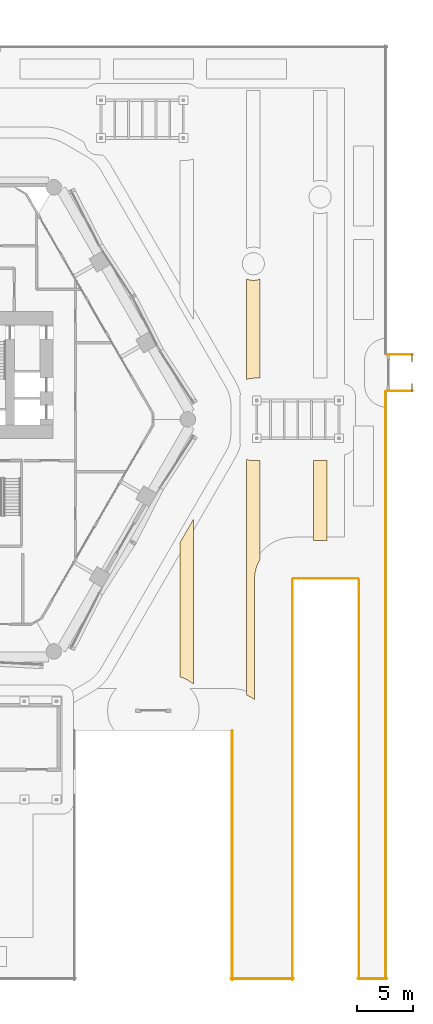
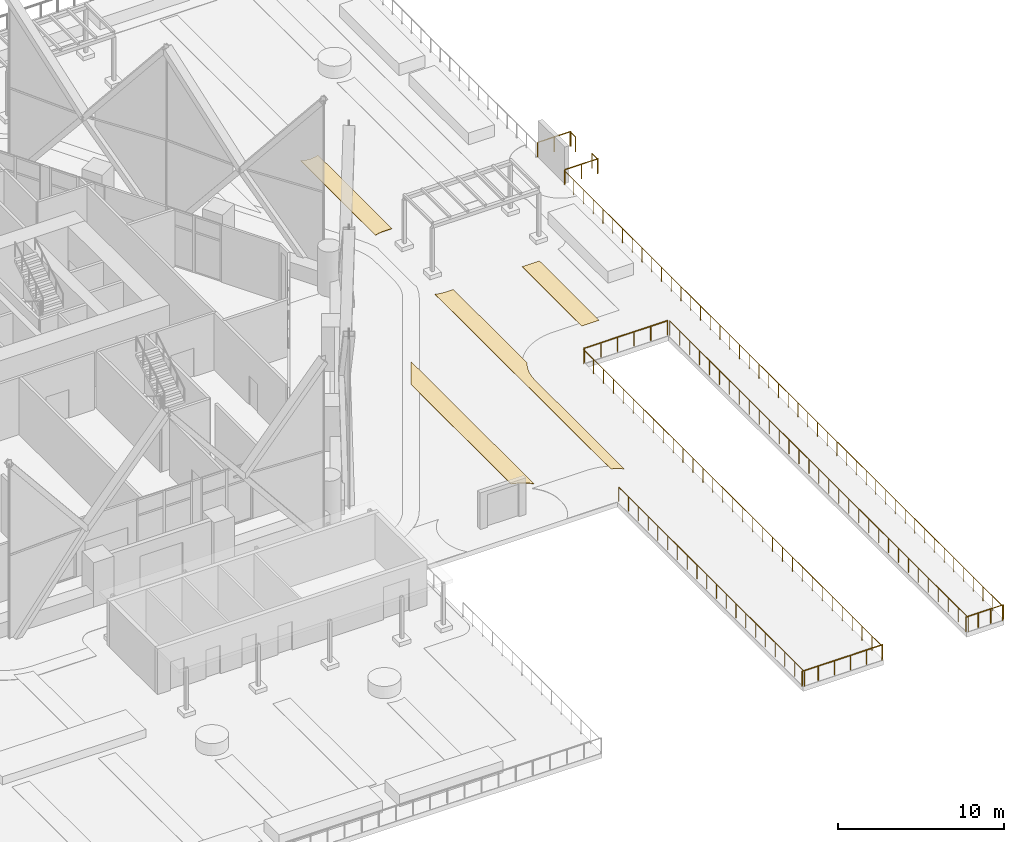
# One storey, part 69 of 71: 11 railings, 4 coverings.
"""IFC4 building model written with IfcOpenShell, lengths in metres."""

from ifc_helpers import new_model, si_unit, direction, frame, origin, origin_2d, place, context, subcontext, project, spatial, polyline, circle, outline, extrude, material, layer, layer_set, type_object, element, save


model = new_model("IFC4")

# Units and contexts
model_context = context("Model", 3, precision=1e-05, world=origin(), true_north=direction((0.0, 1.0)))
body_context = subcontext(model_context, "Body", "Model", "MODEL_VIEW")
ifc_project = project(units=[si_unit("LENGTHUNIT", "METRE"), si_unit("AREAUNIT", "SQUARE_METRE"), si_unit("VOLUMEUNIT", "CUBIC_METRE"), si_unit("PLANEANGLEUNIT", "RADIAN"), si_unit("MASSUNIT", "GRAM", prefix="KILO")], contexts=[model_context])

# Site, building, storey
site_placement = place(None, origin())
site = spatial("IfcSite", under=ifc_project, at=site_placement, CompositionType="ELEMENT")
building_placement = place(site_placement, origin())
building = spatial("IfcBuilding", under=site, at=building_placement, Name="Ostrander Bayou Hotel Tower", CompositionType="ELEMENT")
storey_placement = place(building_placement, frame((0.0, 0.0, 10.0)))
storey = spatial("IfcBuildingStorey", under=building, at=storey_placement, Name="L02", CompositionType="ELEMENT", Elevation=10.0)

# Coverings
ifc_material_1 = material(Name="Granite paving on bedding", Category="masonry")
ifc_layer = layer(ifc_material_1, 0.030029296875)
ifc_layer_set = layer_set([ifc_layer], Name="CV6 paving band 30 mm")
covering_type = type_object("IfcCoveringType", Name="CV6 paving band 30 mm", PredefinedType="FLOORING", material=ifc_layer_set)
covering_1_placement = place(storey_placement, origin())
element("IfcCovering", 1, at=covering_1_placement, inside=storey, type_object=covering_type, Name="PAVING STRIPE 19", PredefinedType="FLOORING", context=body_context, shape_type="SweptSolid", body=[
    extrude(outline(polyline([(23.39990234375, -11.070068359375), (24.60009765625, -8.99169921875), (24.60009765625, -23.81787109375), (24.521728515625, -23.7470703125), (24.48388671875, -23.7158203125), (24.286865234375, -23.569580078125), (24.24609375, -23.54248046875), (24.035400390625, -23.416259765625), (23.9921875, -23.393310546875), (23.7705078125, -23.288330078125), (23.72509765625, -23.26953125), (23.494140625, -23.18701171875), (23.447265625, -23.172607421875), (23.39990234375, -23.160888671875), (23.39990234375, -11.070068359375)])), origin(), (0.0, 0.0, 1.0), 0.030029296875),
])
covering_2_placement = place(storey_placement, origin())
element("IfcCovering", 2, at=covering_2_placement, inside=storey, type_object=covering_type, Name="PAVING STRIPE 22", PredefinedType="FLOORING", context=body_context, shape_type="SweptSolid", body=[
    extrude(outline(polyline([(30.60009765625, 3.699951171875), (30.0, 3.699951171875), (29.9755859375, 3.699462890625), (29.85791015625, 3.693603515625), (29.80908203125, 3.688720703125), (29.6923828125, 3.67138671875), (29.644287109375, 3.662109375), (29.5302734375, 3.63330078125), (29.483154296875, 3.619140625), (29.39990234375, 3.58935546875), (29.39990234375, 12.63427734375), (29.5498046875, 12.572021484375), (29.5908203125, 12.55712890625), (29.633056640625, 12.5458984375), (29.67578125, 12.538330078125), (29.934814453125, 12.50439453125), (29.978271484375, 12.50048828125), (30.021728515625, 12.50048828125), (30.065185546875, 12.50439453125), (30.32421875, 12.538330078125), (30.366943359375, 12.5458984375), (30.4091796875, 12.55712890625), (30.4501953125, 12.572021484375), (30.60009765625, 12.63427734375), (30.60009765625, 3.699951171875)])), origin(), (0.0, 0.0, 1.0), 0.030029296875),
])
covering_3_placement = place(storey_placement, origin())
element("IfcCovering", 3, at=covering_3_placement, inside=storey, type_object=covering_type, Name="PAVING STRIPE 23", PredefinedType="FLOORING", context=body_context, shape_type="SweptSolid", body=[
    extrude(outline(polyline([(30.60009765625, -12.60546875), (30.51318359375, -12.75), (30.366455078125, -13.060546875), (30.250732421875, -13.384033203125), (30.167236328125, -13.71728515625), (30.116943359375, -14.056884765625), (30.10009765625, -14.39990234375), (30.10009765625, -25.205078125), (29.944580078125, -25.08984375), (29.64990234375, -24.913330078125), (29.39990234375, -24.795166015625), (29.39990234375, -3.58935546875), (29.483154296875, -3.619140625), (29.5302734375, -3.63330078125), (29.644287109375, -3.662109375), (29.6923828125, -3.67138671875), (29.80908203125, -3.688720703125), (29.85791015625, -3.693603515625), (29.9755859375, -3.699462890625), (30.0, -3.699951171875), (30.60009765625, -3.699951171875), (30.60009765625, -12.60546875)])), origin(), (0.0, 0.0, 1.0), 0.030029296875),
])
covering_4_placement = place(storey_placement, origin())
element("IfcCovering", 4, at=covering_4_placement, inside=storey, type_object=covering_type, Name="PAVING STRIPE 26", PredefinedType="FLOORING", context=body_context, shape_type="SweptSolid", body=[
    extrude(outline(polyline([(36.60009765625, -10.89990234375), (35.39990234375, -10.89990234375), (35.39990234375, -3.699951171875), (36.60009765625, -3.699951171875), (36.60009765625, -10.89990234375)])), origin(), (0.0, 0.0, 1.0), 0.030029296875),
])

# Railings
ifc_material_2 = material(Name="Stainless steel and clear glass", Category="steel")
railing_type = type_object("IfcRailingType", Name="GR1 guard 1100 mm", PredefinedType="GUARDRAIL", material=ifc_material_2)
railing_1_placement = place(storey_placement, frame((28.10009765625, -28.0, 0.0)))
element("IfcRailing", 5, at=railing_1_placement, inside=storey, type_object=railing_type, Name="GR1 deck guard 6", PredefinedType="GUARDRAIL", context=body_context, shape_type="SweptSolid", body=[
    extrude(circle(Radius=0.02490234375, at=origin_2d()), frame((0.0, 0.0, 1.0751953125), z_axis=(0.0, -1.0, 0.0), x_axis=(1.0, 0.0, 0.0)), (0.0, 0.0, 1.0), 22.39990234375),
    extrude(circle(Radius=0.02001953125, at=origin_2d()), origin(), (0.0, 0.0, 1.0), 1.050048828125),
    extrude(circle(Radius=0.02001953125, at=origin_2d()), frame((0.0, -1.178955078125, 0.0)), (0.0, 0.0, 1.0), 1.050048828125),
    extrude(circle(Radius=0.02001953125, at=origin_2d()), frame((0.0, -2.35791015625, 0.0)), (0.0, 0.0, 1.0), 1.050048828125),
    extrude(circle(Radius=0.02001953125, at=origin_2d()), frame((0.0, -3.536865234375, 0.0)), (0.0, 0.0, 1.0), 1.050048828125),
    extrude(circle(Radius=0.02001953125, at=origin_2d()), frame((0.0, -4.7158203125, 0.0)), (0.0, 0.0, 1.0), 1.050048828125),
    extrude(circle(Radius=0.02001953125, at=origin_2d()), frame((0.0, -5.894775390625, 0.0)), (0.0, 0.0, 1.0), 1.050048828125),
    extrude(circle(Radius=0.02001953125, at=origin_2d()), frame((0.0, -7.07373046875, 0.0)), (0.0, 0.0, 1.0), 1.050048828125),
    extrude(circle(Radius=0.02001953125, at=origin_2d()), frame((0.0, -8.252685546875, 0.0)), (0.0, 0.0, 1.0), 1.050048828125),
    extrude(circle(Radius=0.02001953125, at=origin_2d()), frame((0.0, -9.431640625, 0.0)), (0.0, 0.0, 1.0), 1.050048828125),
    extrude(circle(Radius=0.02001953125, at=origin_2d()), frame((0.0, -10.610595703125, 0.0)), (0.0, 0.0, 1.0), 1.050048828125),
    extrude(circle(Radius=0.02001953125, at=origin_2d()), frame((0.0, -11.789306640625, 0.0)), (0.0, 0.0, 1.0), 1.050048828125),
    extrude(circle(Radius=0.02001953125, at=origin_2d()), frame((0.0, -12.96826171875, 0.0)), (0.0, 0.0, 1.0), 1.050048828125),
    extrude(circle(Radius=0.02001953125, at=origin_2d()), frame((0.0, -14.147216796875, 0.0)), (0.0, 0.0, 1.0), 1.050048828125),
    extrude(circle(Radius=0.02001953125, at=origin_2d()), frame((0.0, -15.326171875, 0.0)), (0.0, 0.0, 1.0), 1.050048828125),
    extrude(circle(Radius=0.02001953125, at=origin_2d()), frame((0.0, -16.505126953125, 0.0)), (0.0, 0.0, 1.0), 1.050048828125),
    extrude(circle(Radius=0.02001953125, at=origin_2d()), frame((0.0, -17.68408203125, 0.0)), (0.0, 0.0, 1.0), 1.050048828125),
    extrude(circle(Radius=0.02001953125, at=origin_2d()), frame((0.0, -18.863037109375, 0.0)), (0.0, 0.0, 1.0), 1.050048828125),
    extrude(circle(Radius=0.02001953125, at=origin_2d()), frame((0.0, -20.0419921875, 0.0)), (0.0, 0.0, 1.0), 1.050048828125),
    extrude(circle(Radius=0.02001953125, at=origin_2d()), frame((0.0, -21.220947265625, 0.0)), (0.0, 0.0, 1.0), 1.050048828125),
    extrude(circle(Radius=0.02001953125, at=origin_2d()), frame((0.0, -22.39990234375, 0.0)), (0.0, 0.0, 1.0), 1.050048828125),
])
railing_2_placement = place(storey_placement, frame((28.0, -50.300048828125, 0.0)))
element("IfcRailing", 6, at=railing_2_placement, inside=storey, type_object=railing_type, Name="GR1 deck guard 7", PredefinedType="GUARDRAIL", context=body_context, shape_type="SweptSolid", body=[
    extrude(circle(Radius=0.02490234375, at=origin_2d()), frame((0.0, 0.0, 1.0751953125), z_axis=(1.0, 0.0, 0.0), x_axis=(0.0, 1.0, 0.0)), (0.0, 0.0, 1.0), 5.60009765625),
    extrude(circle(Radius=0.02001953125, at=origin_2d()), origin(), (0.0, 0.0, 1.0), 1.050048828125),
    extrude(circle(Radius=0.02001953125, at=origin_2d()), frame((1.1201171875, 0.0, 0.0)), (0.0, 0.0, 1.0), 1.050048828125),
    extrude(circle(Radius=0.02001953125, at=origin_2d()), frame((2.239990234375, 0.0, 0.0)), (0.0, 0.0, 1.0), 1.050048828125),
    extrude(circle(Radius=0.02001953125, at=origin_2d()), frame((3.360107421875, 0.0, 0.0)), (0.0, 0.0, 1.0), 1.050048828125),
    extrude(circle(Radius=0.02001953125, at=origin_2d()), frame((4.47998046875, 0.0, 0.0)), (0.0, 0.0, 1.0), 1.050048828125),
    extrude(circle(Radius=0.02001953125, at=origin_2d()), frame((5.60009765625, 0.0, 0.0)), (0.0, 0.0, 1.0), 1.050048828125),
])
railing_3_placement = place(storey_placement, frame((33.5, -50.39990234375, 0.0)))
element("IfcRailing", 7, at=railing_3_placement, inside=storey, type_object=railing_type, Name="GR1 deck guard 8", PredefinedType="GUARDRAIL", context=body_context, shape_type="SweptSolid", body=[
    extrude(circle(Radius=0.02490234375, at=origin_2d()), frame((0.0, 0.0, 1.0751953125), z_axis=(0.0, 1.0, 0.0), x_axis=(-1.0, 0.0, 0.0)), (0.0, 0.0, 1.0), 36.0),
    extrude(circle(Radius=0.02001953125, at=origin_2d()), origin(), (0.0, 0.0, 1.0), 1.050048828125),
    extrude(circle(Radius=0.02001953125, at=origin_2d()), frame((0.0, 1.199951171875, 0.0)), (0.0, 0.0, 1.0), 1.050048828125),
    extrude(circle(Radius=0.02001953125, at=origin_2d()), frame((0.0, 2.39990234375, 0.0)), (0.0, 0.0, 1.0), 1.050048828125),
    extrude(circle(Radius=0.02001953125, at=origin_2d()), frame((0.0, 3.60009765625, 0.0)), (0.0, 0.0, 1.0), 1.050048828125),
    extrude(circle(Radius=0.02001953125, at=origin_2d()), frame((0.0, 4.800048828125, 0.0)), (0.0, 0.0, 1.0), 1.050048828125),
    extrude(circle(Radius=0.02001953125, at=origin_2d()), frame((0.0, 6.0, 0.0)), (0.0, 0.0, 1.0), 1.050048828125),
    extrude(circle(Radius=0.02001953125, at=origin_2d()), frame((0.0, 7.199951171875, 0.0)), (0.0, 0.0, 1.0), 1.050048828125),
    extrude(circle(Radius=0.02001953125, at=origin_2d()), frame((0.0, 8.39990234375, 0.0)), (0.0, 0.0, 1.0), 1.050048828125),
    extrude(circle(Radius=0.02001953125, at=origin_2d()), frame((0.0, 9.60009765625, 0.0)), (0.0, 0.0, 1.0), 1.050048828125),
    extrude(circle(Radius=0.02001953125, at=origin_2d()), frame((0.0, 10.800048828125, 0.0)), (0.0, 0.0, 1.0), 1.050048828125),
    extrude(circle(Radius=0.02001953125, at=origin_2d()), frame((0.0, 12.0, 0.0)), (0.0, 0.0, 1.0), 1.050048828125),
    extrude(circle(Radius=0.02001953125, at=origin_2d()), frame((0.0, 13.199951171875, 0.0)), (0.0, 0.0, 1.0), 1.050048828125),
    extrude(circle(Radius=0.02001953125, at=origin_2d()), frame((0.0, 14.39990234375, 0.0)), (0.0, 0.0, 1.0), 1.050048828125),
    extrude(circle(Radius=0.02001953125, at=origin_2d()), frame((0.0, 15.60009765625, 0.0)), (0.0, 0.0, 1.0), 1.050048828125),
    extrude(circle(Radius=0.02001953125, at=origin_2d()), frame((0.0, 16.800048828125, 0.0)), (0.0, 0.0, 1.0), 1.050048828125),
    extrude(circle(Radius=0.02001953125, at=origin_2d()), frame((0.0, 18.0, 0.0)), (0.0, 0.0, 1.0), 1.050048828125),
    extrude(circle(Radius=0.02001953125, at=origin_2d()), frame((0.0, 19.199951171875, 0.0)), (0.0, 0.0, 1.0), 1.050048828125),
    extrude(circle(Radius=0.02001953125, at=origin_2d()), frame((0.0, 20.39990234375, 0.0)), (0.0, 0.0, 1.0), 1.050048828125),
    extrude(circle(Radius=0.02001953125, at=origin_2d()), frame((0.0, 21.60009765625, 0.0)), (0.0, 0.0, 1.0), 1.050048828125),
    extrude(circle(Radius=0.02001953125, at=origin_2d()), frame((0.0, 22.800048828125, 0.0)), (0.0, 0.0, 1.0), 1.050048828125),
    extrude(circle(Radius=0.02001953125, at=origin_2d()), frame((0.0, 24.0, 0.0)), (0.0, 0.0, 1.0), 1.050048828125),
    extrude(circle(Radius=0.02001953125, at=origin_2d()), frame((0.0, 25.199951171875, 0.0)), (0.0, 0.0, 1.0), 1.050048828125),
    extrude(circle(Radius=0.02001953125, at=origin_2d()), frame((0.0, 26.39990234375, 0.0)), (0.0, 0.0, 1.0), 1.050048828125),
    extrude(circle(Radius=0.02001953125, at=origin_2d()), frame((0.0, 27.60009765625, 0.0)), (0.0, 0.0, 1.0), 1.050048828125),
    extrude(circle(Radius=0.02001953125, at=origin_2d()), frame((0.0, 28.800048828125, 0.0)), (0.0, 0.0, 1.0), 1.050048828125),
    extrude(circle(Radius=0.02001953125, at=origin_2d()), frame((0.0, 30.0, 0.0)), (0.0, 0.0, 1.0), 1.050048828125),
    extrude(circle(Radius=0.02001953125, at=origin_2d()), frame((0.0, 31.199951171875, 0.0)), (0.0, 0.0, 1.0), 1.050048828125),
    extrude(circle(Radius=0.02001953125, at=origin_2d()), frame((0.0, 32.39990234375, 0.0)), (0.0, 0.0, 1.0), 1.050048828125),
    extrude(circle(Radius=0.02001953125, at=origin_2d()), frame((0.0, 33.60009765625, 0.0)), (0.0, 0.0, 1.0), 1.050048828125),
    extrude(circle(Radius=0.02001953125, at=origin_2d()), frame((0.0, 34.800048828125, 0.0)), (0.0, 0.0, 1.0), 1.050048828125),
    extrude(circle(Radius=0.02001953125, at=origin_2d()), frame((0.0, 36.0, 0.0)), (0.0, 0.0, 1.0), 1.050048828125),
])
railing_4_placement = place(storey_placement, frame((33.60009765625, -14.300048828125, 0.0)))
element("IfcRailing", 8, at=railing_4_placement, inside=storey, type_object=railing_type, Name="GR1 deck guard 9", PredefinedType="GUARDRAIL", context=body_context, shape_type="SweptSolid", body=[
    extrude(circle(Radius=0.02490234375, at=origin_2d()), frame((0.0, 0.0, 1.0751953125), z_axis=(1.0, 0.0, 0.0), x_axis=(0.0, 1.0, 0.0)), (0.0, 0.0, 1.0), 5.7998046875),
    extrude(circle(Radius=0.02001953125, at=origin_2d()), origin(), (0.0, 0.0, 1.0), 1.050048828125),
    extrude(circle(Radius=0.02001953125, at=origin_2d()), frame((1.159912109375, 0.0, 0.0)), (0.0, 0.0, 1.0), 1.050048828125),
    extrude(circle(Radius=0.02001953125, at=origin_2d()), frame((2.31982421875, 0.0, 0.0)), (0.0, 0.0, 1.0), 1.050048828125),
    extrude(circle(Radius=0.02001953125, at=origin_2d()), frame((3.47998046875, 0.0, 0.0)), (0.0, 0.0, 1.0), 1.050048828125),
    extrude(circle(Radius=0.02001953125, at=origin_2d()), frame((4.639892578125, 0.0, 0.0)), (0.0, 0.0, 1.0), 1.050048828125),
    extrude(circle(Radius=0.02001953125, at=origin_2d()), frame((5.7998046875, 0.0, 0.0)), (0.0, 0.0, 1.0), 1.050048828125),
])
railing_5_placement = place(storey_placement, frame((39.5, -14.39990234375, 0.0)))
element("IfcRailing", 9, at=railing_5_placement, inside=storey, type_object=railing_type, Name="GR1 deck guard 10", PredefinedType="GUARDRAIL", context=body_context, shape_type="SweptSolid", body=[
    extrude(circle(Radius=0.02490234375, at=origin_2d()), frame((0.0, 0.0, 1.0751953125), z_axis=(0.0, -1.0, 0.0), x_axis=(1.0, 0.0, 0.0)), (0.0, 0.0, 1.0), 36.0),
    extrude(circle(Radius=0.02001953125, at=origin_2d()), origin(), (0.0, 0.0, 1.0), 1.050048828125),
    extrude(circle(Radius=0.02001953125, at=origin_2d()), frame((0.0, -1.199951171875, 0.0)), (0.0, 0.0, 1.0), 1.050048828125),
    extrude(circle(Radius=0.02001953125, at=origin_2d()), frame((0.0, -2.39990234375, 0.0)), (0.0, 0.0, 1.0), 1.050048828125),
    extrude(circle(Radius=0.02001953125, at=origin_2d()), frame((0.0, -3.60009765625, 0.0)), (0.0, 0.0, 1.0), 1.050048828125),
    extrude(circle(Radius=0.02001953125, at=origin_2d()), frame((0.0, -4.800048828125, 0.0)), (0.0, 0.0, 1.0), 1.050048828125),
    extrude(circle(Radius=0.02001953125, at=origin_2d()), frame((0.0, -6.0, 0.0)), (0.0, 0.0, 1.0), 1.050048828125),
    extrude(circle(Radius=0.02001953125, at=origin_2d()), frame((0.0, -7.199951171875, 0.0)), (0.0, 0.0, 1.0), 1.050048828125),
    extrude(circle(Radius=0.02001953125, at=origin_2d()), frame((0.0, -8.39990234375, 0.0)), (0.0, 0.0, 1.0), 1.050048828125),
    extrude(circle(Radius=0.02001953125, at=origin_2d()), frame((0.0, -9.60009765625, 0.0)), (0.0, 0.0, 1.0), 1.050048828125),
    extrude(circle(Radius=0.02001953125, at=origin_2d()), frame((0.0, -10.800048828125, 0.0)), (0.0, 0.0, 1.0), 1.050048828125),
    extrude(circle(Radius=0.02001953125, at=origin_2d()), frame((0.0, -12.0, 0.0)), (0.0, 0.0, 1.0), 1.050048828125),
    extrude(circle(Radius=0.02001953125, at=origin_2d()), frame((0.0, -13.199951171875, 0.0)), (0.0, 0.0, 1.0), 1.050048828125),
    extrude(circle(Radius=0.02001953125, at=origin_2d()), frame((0.0, -14.39990234375, 0.0)), (0.0, 0.0, 1.0), 1.050048828125),
    extrude(circle(Radius=0.02001953125, at=origin_2d()), frame((0.0, -15.60009765625, 0.0)), (0.0, 0.0, 1.0), 1.050048828125),
    extrude(circle(Radius=0.02001953125, at=origin_2d()), frame((0.0, -16.800048828125, 0.0)), (0.0, 0.0, 1.0), 1.050048828125),
    extrude(circle(Radius=0.02001953125, at=origin_2d()), frame((0.0, -18.0, 0.0)), (0.0, 0.0, 1.0), 1.050048828125),
    extrude(circle(Radius=0.02001953125, at=origin_2d()), frame((0.0, -19.199951171875, 0.0)), (0.0, 0.0, 1.0), 1.050048828125),
    extrude(circle(Radius=0.02001953125, at=origin_2d()), frame((0.0, -20.39990234375, 0.0)), (0.0, 0.0, 1.0), 1.050048828125),
    extrude(circle(Radius=0.02001953125, at=origin_2d()), frame((0.0, -21.60009765625, 0.0)), (0.0, 0.0, 1.0), 1.050048828125),
    extrude(circle(Radius=0.02001953125, at=origin_2d()), frame((0.0, -22.800048828125, 0.0)), (0.0, 0.0, 1.0), 1.050048828125),
    extrude(circle(Radius=0.02001953125, at=origin_2d()), frame((0.0, -24.0, 0.0)), (0.0, 0.0, 1.0), 1.050048828125),
    extrude(circle(Radius=0.02001953125, at=origin_2d()), frame((0.0, -25.199951171875, 0.0)), (0.0, 0.0, 1.0), 1.050048828125),
    extrude(circle(Radius=0.02001953125, at=origin_2d()), frame((0.0, -26.39990234375, 0.0)), (0.0, 0.0, 1.0), 1.050048828125),
    extrude(circle(Radius=0.02001953125, at=origin_2d()), frame((0.0, -27.60009765625, 0.0)), (0.0, 0.0, 1.0), 1.050048828125),
    extrude(circle(Radius=0.02001953125, at=origin_2d()), frame((0.0, -28.800048828125, 0.0)), (0.0, 0.0, 1.0), 1.050048828125),
    extrude(circle(Radius=0.02001953125, at=origin_2d()), frame((0.0, -30.0, 0.0)), (0.0, 0.0, 1.0), 1.050048828125),
    extrude(circle(Radius=0.02001953125, at=origin_2d()), frame((0.0, -31.199951171875, 0.0)), (0.0, 0.0, 1.0), 1.050048828125),
    extrude(circle(Radius=0.02001953125, at=origin_2d()), frame((0.0, -32.39990234375, 0.0)), (0.0, 0.0, 1.0), 1.050048828125),
    extrude(circle(Radius=0.02001953125, at=origin_2d()), frame((0.0, -33.60009765625, 0.0)), (0.0, 0.0, 1.0), 1.050048828125),
    extrude(circle(Radius=0.02001953125, at=origin_2d()), frame((0.0, -34.800048828125, 0.0)), (0.0, 0.0, 1.0), 1.050048828125),
    extrude(circle(Radius=0.02001953125, at=origin_2d()), frame((0.0, -36.0, 0.0)), (0.0, 0.0, 1.0), 1.050048828125),
])
railing_6_placement = place(storey_placement, frame((39.39990234375, -50.300048828125, 0.0)))
element("IfcRailing", 10, at=railing_6_placement, inside=storey, type_object=railing_type, Name="GR1 deck guard 11", PredefinedType="GUARDRAIL", context=body_context, shape_type="SweptSolid", body=[
    extrude(circle(Radius=0.02490234375, at=origin_2d()), frame((0.0, 0.0, 1.0751953125), z_axis=(1.0, 0.0, 0.0), x_axis=(0.0, 1.0, 0.0)), (0.0, 0.0, 1.0), 2.60009765625),
    extrude(circle(Radius=0.02001953125, at=origin_2d()), origin(), (0.0, 0.0, 1.0), 1.050048828125),
    extrude(circle(Radius=0.02001953125, at=origin_2d()), frame((0.86669921875, 0.0, 0.0)), (0.0, 0.0, 1.0), 1.050048828125),
    extrude(circle(Radius=0.02001953125, at=origin_2d()), frame((1.7333984375, 0.0, 0.0)), (0.0, 0.0, 1.0), 1.050048828125),
    extrude(circle(Radius=0.02001953125, at=origin_2d()), frame((2.60009765625, 0.0, 0.0)), (0.0, 0.0, 1.0), 1.050048828125),
])
railing_7_placement = place(storey_placement, frame((41.89990234375, -50.39990234375, 0.0)))
element("IfcRailing", 11, at=railing_7_placement, inside=storey, type_object=railing_type, Name="GR1 deck guard 12", PredefinedType="GUARDRAIL", context=body_context, shape_type="SweptSolid", body=[
    extrude(circle(Radius=0.02490234375, at=origin_2d()), frame((0.0, 0.0, 1.0751953125), z_axis=(0.0, 1.0, 0.0), x_axis=(-1.0, 0.0, 0.0)), (0.0, 0.0, 1.0), 52.89990234375),
    extrude(circle(Radius=0.02001953125, at=origin_2d()), origin(), (0.0, 0.0, 1.0), 1.050048828125),
    extrude(circle(Radius=0.02001953125, at=origin_2d()), frame((0.0, 1.175537109375, 0.0)), (0.0, 0.0, 1.0), 1.050048828125),
    extrude(circle(Radius=0.02001953125, at=origin_2d()), frame((0.0, 2.35107421875, 0.0)), (0.0, 0.0, 1.0), 1.050048828125),
    extrude(circle(Radius=0.02001953125, at=origin_2d()), frame((0.0, 3.526611328125, 0.0)), (0.0, 0.0, 1.0), 1.050048828125),
    extrude(circle(Radius=0.02001953125, at=origin_2d()), frame((0.0, 4.7021484375, 0.0)), (0.0, 0.0, 1.0), 1.050048828125),
    extrude(circle(Radius=0.02001953125, at=origin_2d()), frame((0.0, 5.877685546875, 0.0)), (0.0, 0.0, 1.0), 1.050048828125),
    extrude(circle(Radius=0.02001953125, at=origin_2d()), frame((0.0, 7.05322265625, 0.0)), (0.0, 0.0, 1.0), 1.050048828125),
    extrude(circle(Radius=0.02001953125, at=origin_2d()), frame((0.0, 8.228759765625, 0.0)), (0.0, 0.0, 1.0), 1.050048828125),
    extrude(circle(Radius=0.02001953125, at=origin_2d()), frame((0.0, 9.404541015625, 0.0)), (0.0, 0.0, 1.0), 1.050048828125),
    extrude(circle(Radius=0.02001953125, at=origin_2d()), frame((0.0, 10.580078125, 0.0)), (0.0, 0.0, 1.0), 1.050048828125),
    extrude(circle(Radius=0.02001953125, at=origin_2d()), frame((0.0, 11.755615234375, 0.0)), (0.0, 0.0, 1.0), 1.050048828125),
    extrude(circle(Radius=0.02001953125, at=origin_2d()), frame((0.0, 12.93115234375, 0.0)), (0.0, 0.0, 1.0), 1.050048828125),
    extrude(circle(Radius=0.02001953125, at=origin_2d()), frame((0.0, 14.106689453125, 0.0)), (0.0, 0.0, 1.0), 1.050048828125),
    extrude(circle(Radius=0.02001953125, at=origin_2d()), frame((0.0, 15.2822265625, 0.0)), (0.0, 0.0, 1.0), 1.050048828125),
    extrude(circle(Radius=0.02001953125, at=origin_2d()), frame((0.0, 16.457763671875, 0.0)), (0.0, 0.0, 1.0), 1.050048828125),
    extrude(circle(Radius=0.02001953125, at=origin_2d()), frame((0.0, 17.63330078125, 0.0)), (0.0, 0.0, 1.0), 1.050048828125),
    extrude(circle(Radius=0.02001953125, at=origin_2d()), frame((0.0, 18.808837890625, 0.0)), (0.0, 0.0, 1.0), 1.050048828125),
    extrude(circle(Radius=0.02001953125, at=origin_2d()), frame((0.0, 19.984375, 0.0)), (0.0, 0.0, 1.0), 1.050048828125),
    extrude(circle(Radius=0.02001953125, at=origin_2d()), frame((0.0, 21.159912109375, 0.0)), (0.0, 0.0, 1.0), 1.050048828125),
    extrude(circle(Radius=0.02001953125, at=origin_2d()), frame((0.0, 22.33544921875, 0.0)), (0.0, 0.0, 1.0), 1.050048828125),
    extrude(circle(Radius=0.02001953125, at=origin_2d()), frame((0.0, 23.510986328125, 0.0)), (0.0, 0.0, 1.0), 1.050048828125),
    extrude(circle(Radius=0.02001953125, at=origin_2d()), frame((0.0, 24.6865234375, 0.0)), (0.0, 0.0, 1.0), 1.050048828125),
    extrude(circle(Radius=0.02001953125, at=origin_2d()), frame((0.0, 25.862060546875, 0.0)), (0.0, 0.0, 1.0), 1.050048828125),
    extrude(circle(Radius=0.02001953125, at=origin_2d()), frame((0.0, 27.037841796875, 0.0)), (0.0, 0.0, 1.0), 1.050048828125),
    extrude(circle(Radius=0.02001953125, at=origin_2d()), frame((0.0, 28.21337890625, 0.0)), (0.0, 0.0, 1.0), 1.050048828125),
    extrude(circle(Radius=0.02001953125, at=origin_2d()), frame((0.0, 29.388916015625, 0.0)), (0.0, 0.0, 1.0), 1.050048828125),
    extrude(circle(Radius=0.02001953125, at=origin_2d()), frame((0.0, 30.564453125, 0.0)), (0.0, 0.0, 1.0), 1.050048828125),
    extrude(circle(Radius=0.02001953125, at=origin_2d()), frame((0.0, 31.739990234375, 0.0)), (0.0, 0.0, 1.0), 1.050048828125),
    extrude(circle(Radius=0.02001953125, at=origin_2d()), frame((0.0, 32.91552734375, 0.0)), (0.0, 0.0, 1.0), 1.050048828125),
    extrude(circle(Radius=0.02001953125, at=origin_2d()), frame((0.0, 34.091064453125, 0.0)), (0.0, 0.0, 1.0), 1.050048828125),
    extrude(circle(Radius=0.02001953125, at=origin_2d()), frame((0.0, 35.2666015625, 0.0)), (0.0, 0.0, 1.0), 1.050048828125),
    extrude(circle(Radius=0.02001953125, at=origin_2d()), frame((0.0, 36.442138671875, 0.0)), (0.0, 0.0, 1.0), 1.050048828125),
    extrude(circle(Radius=0.02001953125, at=origin_2d()), frame((0.0, 37.61767578125, 0.0)), (0.0, 0.0, 1.0), 1.050048828125),
    extrude(circle(Radius=0.02001953125, at=origin_2d()), frame((0.0, 38.793212890625, 0.0)), (0.0, 0.0, 1.0), 1.050048828125),
    extrude(circle(Radius=0.02001953125, at=origin_2d()), frame((0.0, 39.96875, 0.0)), (0.0, 0.0, 1.0), 1.050048828125),
    extrude(circle(Radius=0.02001953125, at=origin_2d()), frame((0.0, 41.144287109375, 0.0)), (0.0, 0.0, 1.0), 1.050048828125),
    extrude(circle(Radius=0.02001953125, at=origin_2d()), frame((0.0, 42.31982421875, 0.0)), (0.0, 0.0, 1.0), 1.050048828125),
    extrude(circle(Radius=0.02001953125, at=origin_2d()), frame((0.0, 43.495361328125, 0.0)), (0.0, 0.0, 1.0), 1.050048828125),
    extrude(circle(Radius=0.02001953125, at=origin_2d()), frame((0.0, 44.671142578125, 0.0)), (0.0, 0.0, 1.0), 1.050048828125),
    extrude(circle(Radius=0.02001953125, at=origin_2d()), frame((0.0, 45.8466796875, 0.0)), (0.0, 0.0, 1.0), 1.050048828125),
    extrude(circle(Radius=0.02001953125, at=origin_2d()), frame((0.0, 47.022216796875, 0.0)), (0.0, 0.0, 1.0), 1.050048828125),
    extrude(circle(Radius=0.02001953125, at=origin_2d()), frame((0.0, 48.19775390625, 0.0)), (0.0, 0.0, 1.0), 1.050048828125),
    extrude(circle(Radius=0.02001953125, at=origin_2d()), frame((0.0, 49.373291015625, 0.0)), (0.0, 0.0, 1.0), 1.050048828125),
    extrude(circle(Radius=0.02001953125, at=origin_2d()), frame((0.0, 50.548828125, 0.0)), (0.0, 0.0, 1.0), 1.050048828125),
    extrude(circle(Radius=0.02001953125, at=origin_2d()), frame((0.0, 51.724365234375, 0.0)), (0.0, 0.0, 1.0), 1.050048828125),
    extrude(circle(Radius=0.02001953125, at=origin_2d()), frame((0.0, 52.89990234375, 0.0)), (0.0, 0.0, 1.0), 1.050048828125),
])
railing_8_placement = place(storey_placement, frame((42.0, 2.550048828125, 0.0)))
element("IfcRailing", 12, at=railing_8_placement, inside=storey, type_object=railing_type, Name="GR1 landing guard EL", PredefinedType="GUARDRAIL", context=body_context, shape_type="SweptSolid", body=[
    extrude(circle(Radius=0.02490234375, at=origin_2d()), frame((0.0, 0.0, 1.0751953125), z_axis=(1.0, 0.0, 0.0), x_axis=(0.0, 1.0, 0.0)), (0.0, 0.0, 1.0), 2.300048828125),
    extrude(circle(Radius=0.02001953125, at=origin_2d()), origin(), (0.0, 0.0, 1.0), 1.050048828125),
    extrude(circle(Radius=0.02001953125, at=origin_2d()), frame((1.14990234375, 0.0, 0.0)), (0.0, 0.0, 1.0), 1.050048828125),
    extrude(circle(Radius=0.02001953125, at=origin_2d()), frame((2.300048828125, 0.0, 0.0)), (0.0, 0.0, 1.0), 1.050048828125),
])
railing_9_placement = place(storey_placement, frame((44.25, 2.550048828125, 0.0)))
element("IfcRailing", 13, at=railing_9_placement, inside=storey, type_object=railing_type, Name="GR1 landing end guard EL", PredefinedType="GUARDRAIL", context=body_context, shape_type="SweptSolid", body=[
    extrude(circle(Radius=0.02490234375, at=origin_2d()), frame((0.0, 0.0, 1.0751953125), z_axis=(0.0, 1.0, 0.0), x_axis=(-1.0, 0.0, 0.0)), (0.0, 0.0, 1.0), 0.64990234375),
    extrude(circle(Radius=0.02001953125, at=origin_2d()), origin(), (0.0, 0.0, 1.0), 1.050048828125),
    extrude(circle(Radius=0.02001953125, at=origin_2d()), frame((0.0, 0.64990234375, 0.0)), (0.0, 0.0, 1.0), 1.050048828125),
])
railing_10_placement = place(storey_placement, frame((42.0, 5.85009765625, 0.0)))
element("IfcRailing", 14, at=railing_10_placement, inside=storey, type_object=railing_type, Name="GR1 landing guard ER", PredefinedType="GUARDRAIL", context=body_context, shape_type="SweptSolid", body=[
    extrude(circle(Radius=0.02490234375, at=origin_2d()), frame((0.0, 0.0, 1.0751953125), z_axis=(1.0, 0.0, 0.0), x_axis=(0.0, 1.0, 0.0)), (0.0, 0.0, 1.0), 2.300048828125),
    extrude(circle(Radius=0.02001953125, at=origin_2d()), origin(), (0.0, 0.0, 1.0), 1.050048828125),
    extrude(circle(Radius=0.02001953125, at=origin_2d()), frame((1.14990234375, 0.0, 0.0)), (0.0, 0.0, 1.0), 1.050048828125),
    extrude(circle(Radius=0.02001953125, at=origin_2d()), frame((2.300048828125, 0.0, 0.0)), (0.0, 0.0, 1.0), 1.050048828125),
])
railing_11_placement = place(storey_placement, frame((44.25, 5.85009765625, 0.0)))
element("IfcRailing", 15, at=railing_11_placement, inside=storey, type_object=railing_type, Name="GR1 landing end guard ER", PredefinedType="GUARDRAIL", context=body_context, shape_type="SweptSolid", body=[
    extrude(circle(Radius=0.02490234375, at=origin_2d()), frame((0.0, 0.0, 1.0751953125), z_axis=(0.0, -1.0, 0.0), x_axis=(1.0, 0.0, 0.0)), (0.0, 0.0, 1.0), 0.650146484375),
    extrude(circle(Radius=0.02001953125, at=origin_2d()), origin(), (0.0, 0.0, 1.0), 1.050048828125),
    extrude(circle(Radius=0.02001953125, at=origin_2d()), frame((0.0, -0.650146484375, 0.0)), (0.0, 0.0, 1.0), 1.050048828125),
])

save(model, "model.ifc")
